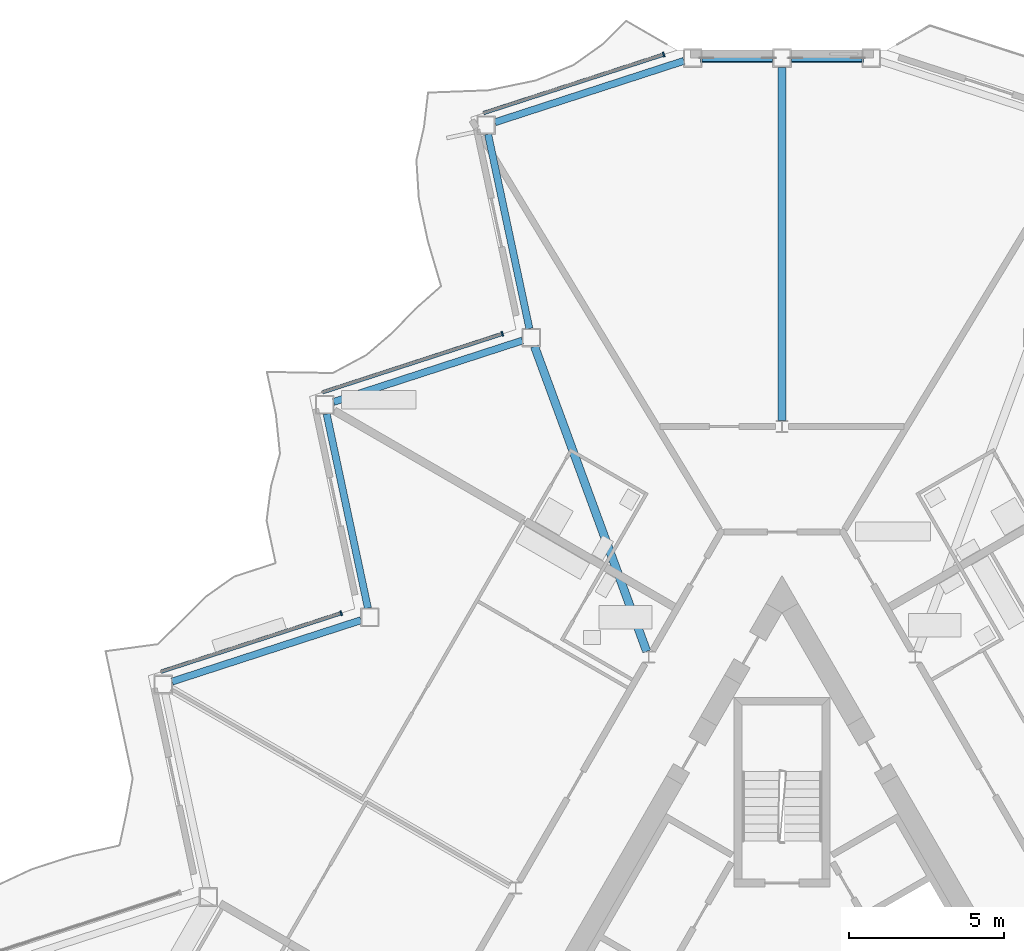
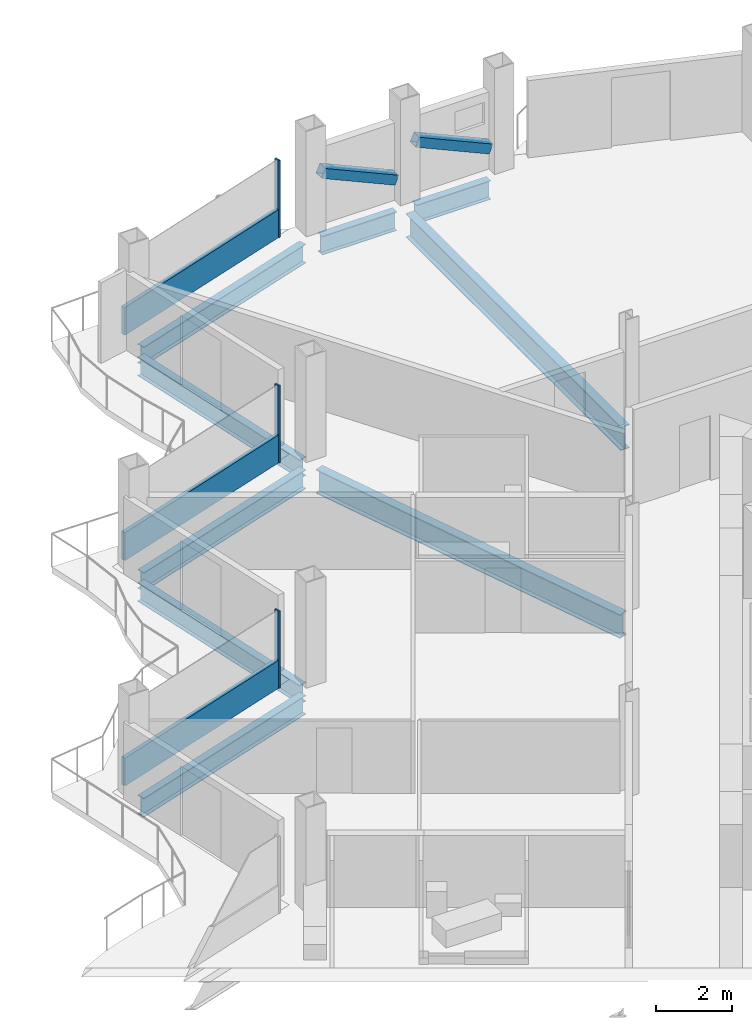
# One storey, part 10 of 27: 9 beams, 8 members, 3 elements without a shape of their own.
"""IFC4 building model written with IfcOpenShell, lengths in metres."""

from ifc_helpers import new_model, si_unit, direction, frame, origin, origin_2d, place, context, subcontext, project, spatial, rectangle, hollow_rectangle, i_section, extrude, material, layer, layer_set, material_profile, profile_set, type_object, element, aggregate, save


model = new_model("IFC4")

# Units and contexts
model_context = context("Model", 3, precision=1e-05, world=origin(), true_north=direction((0.0, 1.0)))
body_context = subcontext(model_context, "Body", "Model", "MODEL_VIEW")
ifc_project = project(units=[si_unit("LENGTHUNIT", "METRE"), si_unit("AREAUNIT", "SQUARE_METRE"), si_unit("VOLUMEUNIT", "CUBIC_METRE"), si_unit("PLANEANGLEUNIT", "RADIAN"), si_unit("MASSUNIT", "GRAM", prefix="KILO")], contexts=[model_context])

# Site, building, storey
site_placement = place(None, origin())
site = spatial("IfcSite", under=ifc_project, at=site_placement, CompositionType="ELEMENT")
building_placement = place(site_placement, origin())
building = spatial("IfcBuilding", under=site, at=building_placement, Name="Cormorant Prow Tower", CompositionType="ELEMENT")
storey_placement = place(building_placement, frame((0.0, 0.0, 315.39990234375)))
storey = spatial("IfcBuildingStorey", under=building, at=storey_placement, Name="L69", CompositionType="ELEMENT", Elevation=315.39990234375)

# Members
ifc_material_1 = material(Name="Structural steel ASTM A500 Gr C", Category="steel")
ifc_material_profile_1 = material_profile(ifc_material_1, hollow_rectangle(XDim=0.3046875, YDim=0.3046875, WallThickness=0.01171875, at=origin_2d()), Name="HSS12x12x1/2")
ifc_profile_set_1 = profile_set([ifc_material_profile_1], Name="Structural steel ASTM A500 Gr C")
member_type_1 = type_object("IfcMemberType", Name="Chamfer brace HSS12x12x1/2", PredefinedType="BRACE", material=ifc_profile_set_1)
for number, where, z_axis, x_axis, name in (
    (1, (2.55908203125, 31.676025390625, 0.7412109375), (-0.91256681832, 0.0, 0.408927624528), (0.0, -1.0, 0.0), "Chamfer brace BR3 at N00 L69"),
    (2, (-0.31494140625, 31.676025390625, 0.7412109375), (-0.91256681832, 0.0, 0.408927624528), (0.0, -1.0, 0.0), "Chamfer brace BR3 at N01 L69"),
):
    element("IfcMember", number, at=place(storey_placement, frame(where, z_axis=z_axis, x_axis=x_axis)), inside=storey, type_object=member_type_1, Name=name, PredefinedType="BRACE", context=body_context, shape_type="SweptSolid", body=[
        extrude(hollow_rectangle(XDim=0.3046875, YDim=0.3046875, WallThickness=0.01171875, at=origin_2d()), origin(), (0.0, 0.0, 1.0), 2.459228515625),
    ])

# Beams
ifc_material_2 = material(Name="Structural steel ASTM A992 Gr 50", Category="steel")
ifc_material_profile_2 = material_profile(ifc_material_2, i_section(OverallWidth=0.267822265625, OverallDepth=0.77001953125, WebThickness=0.015625, FlangeThickness=0.025390625, at=origin_2d()), Name="W30x132")
ifc_profile_set_2 = profile_set([ifc_material_profile_2], Name="Structural steel ASTM A992 Gr 50")
beam_type_1 = type_object("IfcBeamType", Name="Radial floor beam W30x132", PredefinedType="BEAM", material=ifc_profile_set_2)
beam_1_placement = place(storey_placement, frame((0.0, 20.0087890625, -0.684814453125), z_axis=(0.0, 1.0, 0.0), x_axis=(-1.0, 0.0, 0.0)))
element("IfcBeam", 3, at=beam_1_placement, inside=storey, type_object=beam_type_1, Name="Radial floor beam FB3 1 L69", PredefinedType="BEAM", context=body_context, shape_type="SweptSolid", body=[
    extrude(i_section(OverallWidth=0.267822265625, OverallDepth=0.77001953125, WebThickness=0.015625, FlangeThickness=0.025390625, at=origin_2d()), origin(), (0.0, 0.0, 1.0), 11.3671875),
])
beam_2_placement = place(storey_placement, frame((-4.357421875, 12.5673828125, -0.684814453125), z_axis=(-0.345131226703, 0.938554439739, 0.0), x_axis=(-0.938554439739, -0.345131226703, 0.0)))
element("IfcBeam", 4, at=beam_2_placement, inside=storey, type_object=beam_type_1, Name="Radial floor beam FB3 2 L69", PredefinedType="BEAM", context=body_context, shape_type="SweptSolid", body=[
    extrude(i_section(OverallWidth=0.267822265625, OverallDepth=0.77001953125, WebThickness=0.015625, FlangeThickness=0.025390625, at=origin_2d()), origin(), (0.0, 0.0, 1.0), 10.465087890625),
])

# Curtain wall, member
ifc_material_3 = material(Name="Aluminium 6063-T6", Category="aluminium")
ifc_layer = layer(ifc_material_3, 0.159912109375)
ifc_layer_set = layer_set([ifc_layer], Name="Aluminium 6063-T6")
curtain_wall_type = type_object("IfcCurtainWallType", Name="Residential unitised curtain wall 160", PredefinedType="NOTDEFINED", material=ifc_layer_set)
curtain_wall_1_placement = place(storey_placement, origin())
curtain_wall_1 = element("IfcCurtainWall", 5, at=curtain_wall_1_placement, inside=storey, type_object=curtain_wall_type, Name="Residential curtain wall WNW00", PredefinedType="NOTDEFINED")
ifc_material_4 = material(Name="Aluminium 6063-T6", Category="aluminium")
ifc_material_profile_3 = material_profile(ifc_material_4, rectangle(XDim=0.159912109375, YDim=0.050048828125, at=origin_2d()), Name="Residential mullion 50x160")
ifc_profile_set_3 = profile_set([ifc_material_profile_3], Name="Aluminium 6063-T6")
member_type_2 = type_object("IfcMemberType", Name="Residential mullion 50x160", PredefinedType="MULLION", material=ifc_profile_set_3)
member_1_placement = place(storey_placement, frame((-3.810791015625, 31.787109375, 0.0), z_axis=(0.0, 0.0, 1.0), x_axis=(0.309016945109, -0.951056532303, 0.0)))
member_1 = element("IfcMember", 6, at=member_1_placement, type_object=member_type_2, Name="Residential mullion WNW00", PredefinedType="MULLION", context=body_context, shape_type="SweptSolid", body=[
    extrude(rectangle(XDim=0.159912109375, YDim=0.050048828125, at=origin_2d()), origin(), (0.0, 0.0, 1.0), 2.488037109375),
])

curtain_wall_2_placement = place(storey_placement, origin())
curtain_wall_2 = element("IfcCurtainWall", 7, at=curtain_wall_2_placement, inside=storey, type_object=curtain_wall_type, Name="Residential curtain wall WNW02", PredefinedType="NOTDEFINED")
member_2_placement = place(storey_placement, frame((-9.00341796875, 22.792724609375, 0.0), z_axis=(0.0, 0.0, 1.0), x_axis=(0.309016945109, -0.951056532303, 0.0)))
member_2 = element("IfcMember", 8, at=member_2_placement, type_object=member_type_2, Name="Residential mullion WNW02", PredefinedType="MULLION", context=body_context, shape_type="SweptSolid", body=[
    extrude(rectangle(XDim=0.159912109375, YDim=0.050048828125, at=origin_2d()), origin(), (0.0, 0.0, 1.0), 2.488037109375),
])

curtain_wall_3_placement = place(storey_placement, origin())
curtain_wall_3 = element("IfcCurtainWall", 9, at=curtain_wall_3_placement, inside=storey, type_object=curtain_wall_type, Name="Residential curtain wall WNW04", PredefinedType="NOTDEFINED")
member_3_placement = place(storey_placement, frame((-14.1962890625, 13.798583984375, 0.0), z_axis=(0.0, 0.0, 1.0), x_axis=(0.309017074565, -0.95105649024, 0.0)))
member_3 = element("IfcMember", 10, at=member_3_placement, type_object=member_type_2, Name="Residential mullion WNW04", PredefinedType="MULLION", context=body_context, shape_type="SweptSolid", body=[
    extrude(rectangle(XDim=0.159912109375, YDim=0.050048828125, at=origin_2d()), origin(), (0.0, 0.0, 1.0), 2.488037109375),
])

# Member
ifc_material_5 = material(Name="Terracotta", Category="masonry")
ifc_material_profile_4 = material_profile(ifc_material_5, rectangle(XDim=0.1201171875, YDim=0.89990234375, at=origin_2d()), Name="Residential terracotta spandrel rail 120x900")
ifc_profile_set_4 = profile_set([ifc_material_profile_4], Name="Terracotta")
member_type_3 = type_object("IfcMemberType", Name="Residential terracotta spandrel rail 120x900", PredefinedType="USERDEFINED", material=ifc_profile_set_4)
member_4_placement = place(storey_placement, frame((-3.83447265625, 31.779296875, 0.4501953125), z_axis=(-0.951049438515, -0.309038776692, 0.0), x_axis=(0.309038776692, -0.951049438515, 0.0)))
member_4 = element("IfcMember", 11, at=member_4_placement, type_object=member_type_3, Name="Residential spandrel rail WNW00", ObjectType="TRANSOM", PredefinedType="USERDEFINED", context=body_context, shape_type="SweptSolid", body=[
    extrude(rectangle(XDim=0.1201171875, YDim=0.89990234375, at=origin_2d()), origin(), (0.0, 0.0, 1.0), 6.069580078125),
])

aggregate(curtain_wall_1, [member_1, member_4])

member_5_placement = place(storey_placement, frame((-9.02734375, 22.78515625, 0.4501953125), z_axis=(-0.951049438515, -0.309038776692, 0.0), x_axis=(0.309038776692, -0.951049438515, 0.0)))
member_5 = element("IfcMember", 12, at=member_5_placement, type_object=member_type_3, Name="Residential spandrel rail WNW02", ObjectType="TRANSOM", PredefinedType="USERDEFINED", context=body_context, shape_type="SweptSolid", body=[
    extrude(rectangle(XDim=0.1201171875, YDim=0.89990234375, at=origin_2d()), origin(), (0.0, 0.0, 1.0), 6.069580078125),
])

aggregate(curtain_wall_2, [member_2, member_5])

member_6_placement = place(storey_placement, frame((-14.22021484375, 13.790771484375, 0.4501953125), z_axis=(-0.951061260164, -0.309002393867, 0.0), x_axis=(0.309002393867, -0.951061260164, 0.0)))
member_6 = element("IfcMember", 13, at=member_6_placement, type_object=member_type_3, Name="Residential spandrel rail WNW04", ObjectType="TRANSOM", PredefinedType="USERDEFINED", context=body_context, shape_type="SweptSolid", body=[
    extrude(rectangle(XDim=0.1201171875, YDim=0.89990234375, at=origin_2d()), origin(), (0.0, 0.0, 1.0), 6.069580078125),
])

aggregate(curtain_wall_3, [member_3, member_6])

# Beams
ifc_material_6 = material(Name="Structural steel ASTM A992 Gr 50", Category="steel")
ifc_material_profile_5 = material_profile(ifc_material_6, i_section(OverallWidth=0.22900390625, OverallDepth=0.612060546875, WebThickness=0.011962890625, FlangeThickness=0.01953125, at=origin_2d()), Name="W24x84")
ifc_profile_set_5 = profile_set([ifc_material_profile_5], Name="Structural steel ASTM A992 Gr 50")
beam_type_2 = type_object("IfcBeamType", Name="Spandrel beam W24x84", PredefinedType="SPANDREL", material=ifc_profile_set_5)
for number, where, z_axis, x_axis, name in (
    (14, (2.57373046875, 31.676025390625, -0.60595703125), (-1.0, 0.0, 0.0), (0.0, -1.0, 0.0), "Spandrel beam SB3 N00-N01 L69"),
    (15, (-0.300048828125, 31.676025390625, -0.60595703125), (-1.0, 0.0, 0.0), (0.0, -1.0, 0.0), "Spandrel beam SB3 N01-WNW00 L69"),
):
    element("IfcBeam", number, at=place(storey_placement, frame(where, z_axis=z_axis, x_axis=x_axis)), inside=storey, type_object=beam_type_2, Name=name, PredefinedType="SPANDREL", context=body_context, shape_type="SweptSolid", body=[
        extrude(i_section(OverallWidth=0.22900390625, OverallDepth=0.612060546875, WebThickness=0.011962890625, FlangeThickness=0.01953125, at=origin_2d()), origin(), (0.0, 0.0, 1.0), 2.273681640625),
    ])
beam_3_placement = place(storey_placement, frame((-3.1591796875, 31.583251953125, -0.60595703125), z_axis=(-0.951064359156, -0.308992855489, 0.0), x_axis=(0.308992855489, -0.951064359156, 0.0)))
element("IfcBeam", 16, at=beam_3_placement, inside=storey, type_object=beam_type_2, Name="Spandrel beam SB3 WNW00-WNW01 L69", PredefinedType="SPANDREL", context=body_context, shape_type="SweptSolid", body=[
    extrude(i_section(OverallWidth=0.22900390625, OverallDepth=0.612060546875, WebThickness=0.011962890625, FlangeThickness=0.01953125, at=origin_2d()), origin(), (0.0, 0.0, 1.0), 6.39599609375),
])
beam_4_placement = place(storey_placement, frame((-9.465087890625, 29.220703125, -0.60595703125), z_axis=(0.20791262393, -0.978147402394, 0.0), x_axis=(0.978147402394, 0.20791262393, 0.0)))
element("IfcBeam", 17, at=beam_4_placement, inside=storey, type_object=beam_type_2, Name="Spandrel beam SB3 WNW01-WNW02 L69", PredefinedType="SPANDREL", context=body_context, shape_type="SweptSolid", body=[
    extrude(i_section(OverallWidth=0.22900390625, OverallDepth=0.612060546875, WebThickness=0.011962890625, FlangeThickness=0.01953125, at=origin_2d()), origin(), (0.0, 0.0, 1.0), 6.396240234375),
])
for number, where, z_axis, x_axis, name in (
    (18, (-8.358154296875, 22.578369140625, -0.60595703125), (-0.95105314132, -0.309027381286, 0.0), (0.309027381286, -0.95105314132, 0.0), "Spandrel beam SB3 WNW02-WNW03 L69"),
    (19, (-14.6640625, 20.215576171875, -0.60595703125), (0.207920386839, -0.978145752297, 0.0), (0.978145752297, 0.207920386839, 0.0), "Spandrel beam SB3 WNW03-WNW04 L69"),
    (20, (-13.557373046875, 13.5732421875, -0.60595703125), (-0.95105314132, -0.309027381286, 0.0), (0.309027381286, -0.95105314132, 0.0), "Spandrel beam SB3 WNW04-WNW05 L69"),
):
    element("IfcBeam", number, at=place(storey_placement, frame(where, z_axis=z_axis, x_axis=x_axis)), inside=storey, type_object=beam_type_2, Name=name, PredefinedType="SPANDREL", context=body_context, shape_type="SweptSolid", body=[
        extrude(i_section(OverallWidth=0.22900390625, OverallDepth=0.612060546875, WebThickness=0.011962890625, FlangeThickness=0.01953125, at=origin_2d()), origin(), (0.0, 0.0, 1.0), 6.39599609375),
    ])

save(model, "model.ifc")
